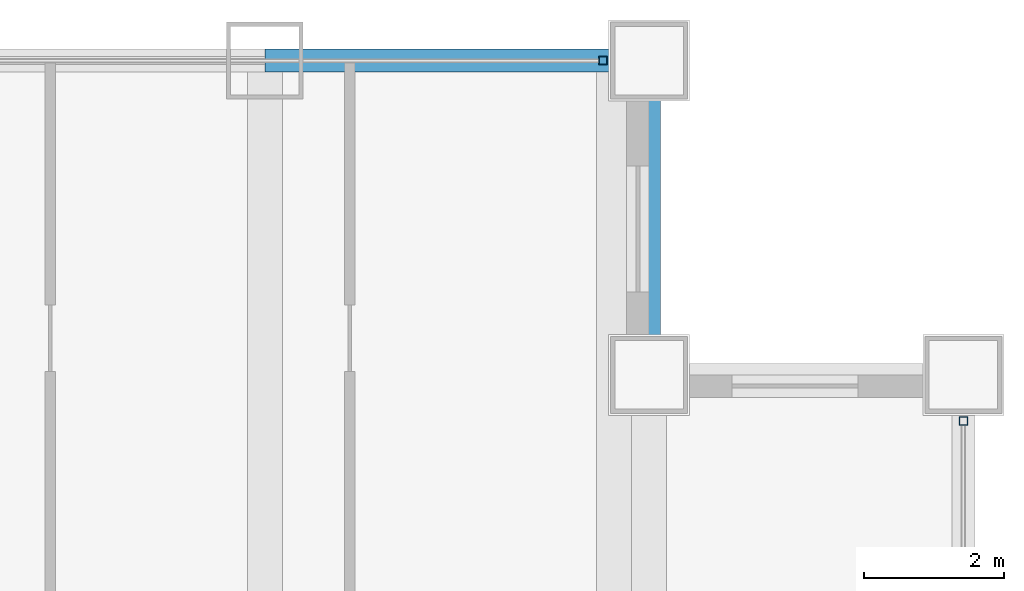
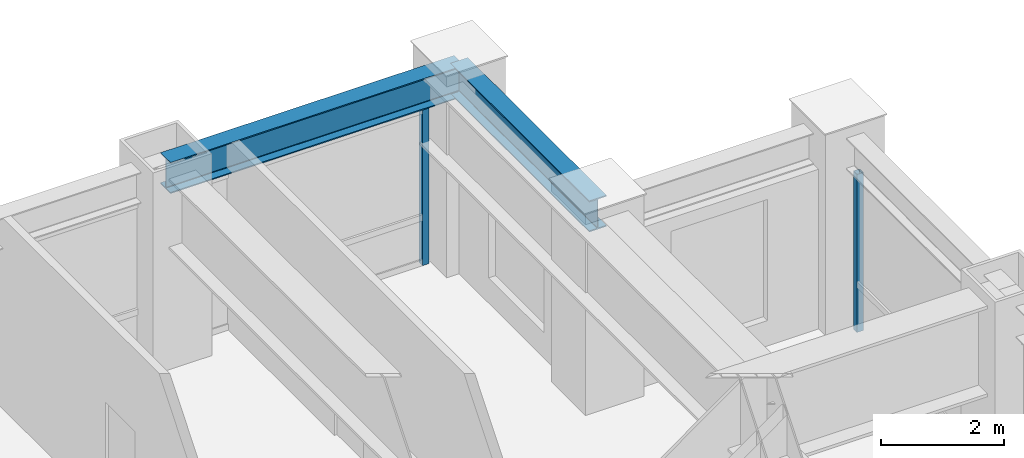
# One storey, part 18 of 26: 2 beams, 2 members, 2 elements without a shape of their own.
"""IFC4 building model written with IfcOpenShell, lengths in metres."""

from ifc_helpers import new_model, si_unit, direction, frame, origin, origin_2d, place, context, subcontext, project, spatial, hollow_rectangle, i_section, extrude, source, transform, mapped, material, material_profile, profile_set, type_object, element, aggregate, save


model = new_model("IFC4")

# Units and contexts
model_context = context("Model", 3, precision=1e-05, world=origin(), true_north=direction((0.0, 1.0)))
body_context = subcontext(model_context, "Body", "Model", "MODEL_VIEW")
ifc_project = project(units=[si_unit("LENGTHUNIT", "METRE"), si_unit("AREAUNIT", "SQUARE_METRE"), si_unit("VOLUMEUNIT", "CUBIC_METRE"), si_unit("PLANEANGLEUNIT", "RADIAN"), si_unit("MASSUNIT", "GRAM", prefix="KILO")], contexts=[model_context])

# Site, building, storey
site_placement = place(None, origin())
site = spatial("IfcSite", under=ifc_project, at=site_placement, CompositionType="ELEMENT")
building_placement = place(site_placement, origin())
building = spatial("IfcBuilding", under=site, at=building_placement, Name="Khorayat Bourse Tower", CompositionType="ELEMENT")
storey_placement = place(building_placement, frame((0.0, 0.0, 207.10009765625)))
storey = spatial("IfcBuildingStorey", under=building, at=storey_placement, Name="L48", CompositionType="ELEMENT", Elevation=207.10009765625)

# Beams
ifc_material_1 = material(Name="Steel ASTM A992 Grade 50", Category="steel")
ifc_material_profile_1 = material_profile(ifc_material_1, i_section(OverallWidth=0.324951171875, OverallDepth=0.615966796875, WebThickness=0.013916015625, FlangeThickness=0.021484375, FilletRadius=0.01611328125, at=origin_2d()), Name="W610X174")
ifc_profile_set_1 = profile_set([ifc_material_profile_1], Name="Steel ASTM A992 Grade 50")
beam_type = type_object("IfcBeamType", Name="BM-SPAN-610", PredefinedType="SPANDREL", material=ifc_profile_set_1)
shared_shape_1 = source(origin(), body_context, "Body", "SweptSolid", [
    extrude(i_section(OverallWidth=0.324951171875, OverallDepth=0.615966796875, WebThickness=0.013916015625, FlangeThickness=0.021484375, FilletRadius=0.01611328125, at=origin_2d()), origin(), (0.0, 0.0, 1.0), 5.5),
])
beam_1_placement = place(storey_placement, frame((20.0, 30.0, 3.471923828125), z_axis=(1.0, 0.0, 0.0), x_axis=(0.0, 1.0, 0.0)))
element("IfcBeam", 1, at=beam_1_placement, inside=storey, type_object=beam_type, Name="L48 BM-SPAN-610 BM-L48-SPN-044", PredefinedType="SPANDREL", context=body_context, shape_type="MappedRepresentation", body=[
    mapped(shared_shape_1, transform((0.0, 0.0, 0.0), scale=1.0)),
])
shared_shape_2 = source(origin(), body_context, "Body", "SweptSolid", [
    extrude(i_section(OverallWidth=0.324951171875, OverallDepth=0.615966796875, WebThickness=0.013916015625, FlangeThickness=0.021484375, FilletRadius=0.01611328125, at=origin_2d()), origin(), (0.0, 0.0, 1.0), 4.5),
])
beam_2_placement = place(storey_placement, frame((25.5, 25.5, 3.471923828125), z_axis=(0.0, 1.0, 0.0), x_axis=(-1.0, 0.0, 0.0)))
element("IfcBeam", 2, at=beam_2_placement, inside=storey, type_object=beam_type, Name="L48 BM-SPAN-610 BM-L48-SPN-043", PredefinedType="SPANDREL", context=body_context, shape_type="MappedRepresentation", body=[
    mapped(shared_shape_2, transform((0.0, 0.0, 0.0), scale=1.0)),
])

# Curtain wall, member
ifc_material_2 = material(Name="Aluminium EN AW-6063 T6", Category="aluminium")
curtain_wall_type = type_object("IfcCurtainWallType", Name="CW-SYS-03", PredefinedType="NOTDEFINED", material=ifc_material_2)
curtain_wall_1_placement = place(storey_placement, origin())
curtain_wall_1 = element("IfcCurtainWall", 3, at=curtain_wall_1_placement, inside=storey, type_object=curtain_wall_type, Name="L48 Curtain Wall CW-L48-N1", PredefinedType="NOTDEFINED")
ifc_material_profile_2 = material_profile(ifc_material_2, hollow_rectangle(XDim=0.1201171875, YDim=0.1201171875, WallThickness=0.0048828125, at=origin_2d()), Name="ALU 120x120x5")
ifc_profile_set_2 = profile_set([ifc_material_profile_2], Name="Aluminium EN AW-6063 T6")
member_type = type_object("IfcMemberType", Name="CWM-VERT-120", PredefinedType="MULLION", material=ifc_profile_set_2)
shared_shape_3 = source(origin(), body_context, "Body", "SweptSolid", [
    extrude(hollow_rectangle(XDim=0.1201171875, YDim=0.1201171875, WallThickness=0.0048828125, at=origin_2d()), origin(), (0.0, 0.0, 1.0), 3.1298828125),
])
member_1_placement = place(storey_placement, frame((24.840087890625, 30.0, 0.0), z_axis=(0.0, 0.0, 1.0), x_axis=(0.0, 1.0, 0.0)))
member_1 = element("IfcMember", 4, at=member_1_placement, type_object=member_type, Name="CW-L48-N1 Vertical Mullion 3", PredefinedType="MULLION", context=body_context, shape_type="MappedRepresentation", body=[
    mapped(shared_shape_3, transform((0.0, 0.0, 0.0), scale=1.0)),
])
aggregate(curtain_wall_1, [member_1])

curtain_wall_2_placement = place(storey_placement, origin())
curtain_wall_2 = element("IfcCurtainWall", 5, at=curtain_wall_2_placement, inside=storey, type_object=curtain_wall_type, Name="L48 Curtain Wall CW-L48-E1", PredefinedType="NOTDEFINED")
member_2_placement = place(storey_placement, frame((30.0, 24.840087890625, 0.0), z_axis=(0.0, 0.0, 1.0), x_axis=(-1.0, 0.0, 0.0)))
member_2 = element("IfcMember", 6, at=member_2_placement, type_object=member_type, Name="CW-L48-E1 Vertical Mullion 3", PredefinedType="MULLION", context=body_context, shape_type="MappedRepresentation", body=[
    mapped(shared_shape_3, transform((0.0, 0.0, 0.0), scale=1.0)),
])
aggregate(curtain_wall_2, [member_2])

save(model, "model.ifc")
